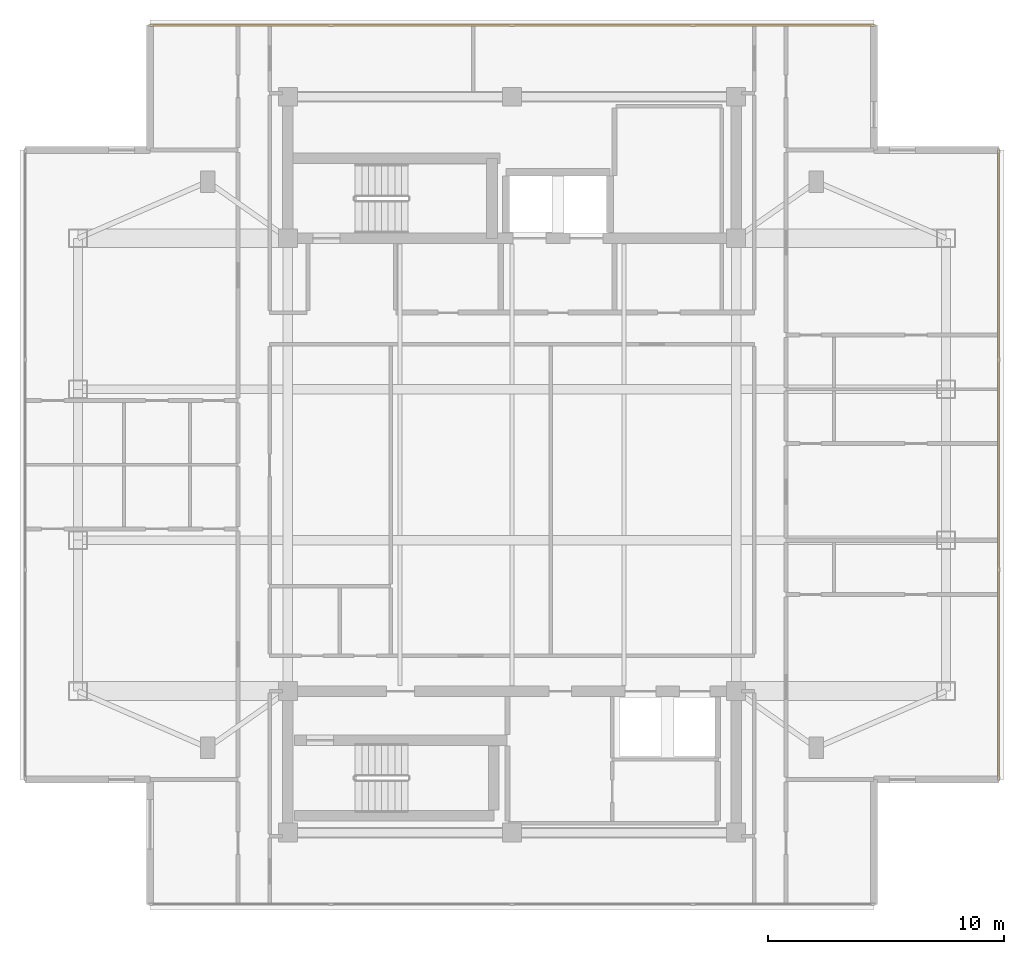
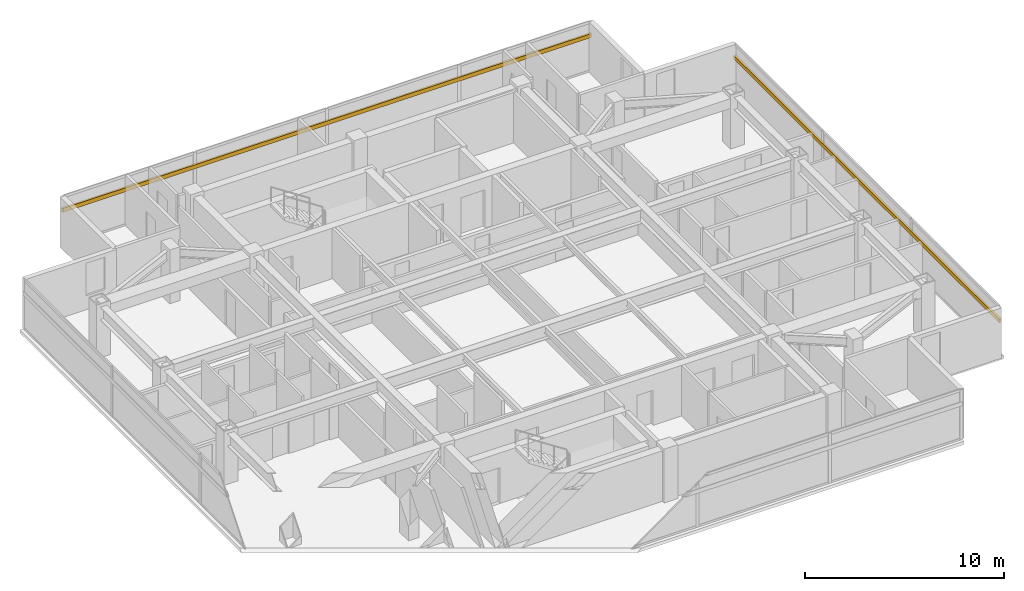
# One storey, part 12 of 12: 2 shading devices.
"""IFC4 building model written with IfcOpenShell, lengths in metres."""

from ifc_helpers import new_model, si_unit, direction, frame, origin, origin_2d, place, context, subcontext, project, spatial, rectangle, extrude, material, material_profile, profile_set, type_object, element, save


model = new_model("IFC4")

# Units and contexts
model_context = context("Model", 3, precision=1e-05, world=origin(), true_north=direction((0.0, 1.0)))
body_context = subcontext(model_context, "Body", "Model", "MODEL_VIEW")
ifc_project = project(units=[si_unit("LENGTHUNIT", "METRE"), si_unit("AREAUNIT", "SQUARE_METRE"), si_unit("VOLUMEUNIT", "CUBIC_METRE"), si_unit("PLANEANGLEUNIT", "RADIAN"), si_unit("MASSUNIT", "GRAM", prefix="KILO")], contexts=[model_context])

# Site, building, storey
site_placement = place(None, origin())
site = spatial("IfcSite", under=ifc_project, at=site_placement, CompositionType="ELEMENT")
building_placement = place(site_placement, origin())
building = spatial("IfcBuilding", under=site, at=building_placement, Name="Mirazonda Arch Towers", CompositionType="ELEMENT")
storey_placement = place(building_placement, frame((0.0, 0.0, 226.0)))
storey = spatial("IfcBuildingStorey", under=building, at=storey_placement, Name="L64", CompositionType="ELEMENT", Elevation=226.0)

# Shading devices
ifc_material = material(Name="Kiln-Fired Architectural Terracotta", Category="masonry")
ifc_material_profile = material_profile(ifc_material, rectangle(XDim=0.1201171875, YDim=0.239990234375, at=origin_2d()), Name="TERRA-BAG-120x240")
ifc_profile_set = profile_set([ifc_material_profile], Name="Kiln-Fired Architectural Terracotta")
shading_device_type = type_object("IfcShadingDeviceType", Name="BAGUETTE-1", PredefinedType="USERDEFINED", material=ifc_profile_set)
shading_device_1_placement = place(storey_placement, frame((41.139892578125, 14.654052734375, 2.217529296875), z_axis=(0.0, 1.0, 0.0), x_axis=(-1.0, 0.0, 0.0)))
element("IfcShadingDevice", 1, at=shading_device_1_placement, inside=storey, type_object=shading_device_type, Name="L64 Glazed Terracotta Sun-Screen Baguette CW-L64-T1-E", ObjectType="BAGUETTE", PredefinedType="USERDEFINED", context=body_context, shape_type="SweptSolid", body=[
    extrude(rectangle(XDim=0.1201171875, YDim=0.239990234375, at=origin_2d()), origin(), (0.0, 0.0, 1.0), 26.69189453125),
])
shading_device_2_placement = place(storey_placement, frame((5.14990234375, 46.635986328125, 2.217529296875), z_axis=(1.0, 0.0, 0.0), x_axis=(0.0, 1.0, 0.0)))
element("IfcShadingDevice", 2, at=shading_device_2_placement, inside=storey, type_object=shading_device_type, Name="L64 Glazed Terracotta Sun-Screen Baguette CW-L64-T1-N", ObjectType="BAGUETTE", PredefinedType="USERDEFINED", context=body_context, shape_type="SweptSolid", body=[
    extrude(rectangle(XDim=0.1201171875, YDim=0.239990234375, at=origin_2d()), origin(), (0.0, 0.0, 1.0), 30.7001953125),
])

save(model, "model.ifc")
